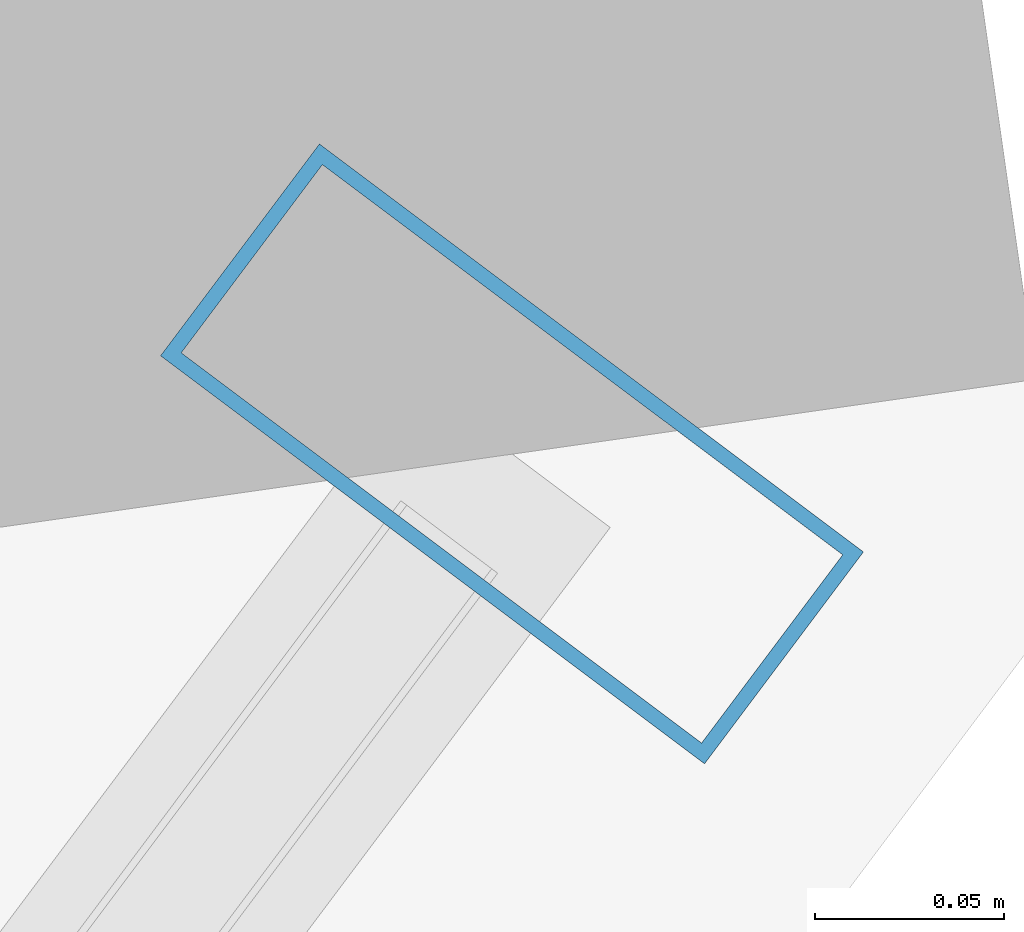
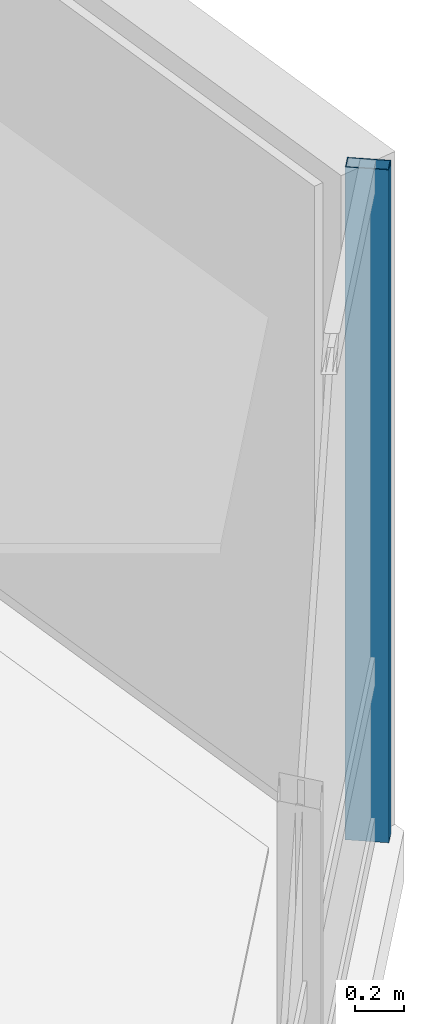
# One storey, part 16 of 27: 1 member, 1 element without a shape of its own.
"""IFC4 building model written with IfcOpenShell, lengths in metres."""

from ifc_helpers import new_model, si_unit, direction, frame, origin, origin_2d, place, context, subcontext, project, spatial, hollow_rectangle, extrude, material, layer, layer_set, material_profile, profile_set, type_object, element, aggregate, save


model = new_model("IFC4")

# Units and contexts
model_context = context("Model", 3, precision=1e-05, world=origin(), true_north=direction((0.0, 1.0)))
body_context = subcontext(model_context, "Body", "Model", "MODEL_VIEW")
ifc_project = project(units=[si_unit("LENGTHUNIT", "METRE"), si_unit("AREAUNIT", "SQUARE_METRE"), si_unit("VOLUMEUNIT", "CUBIC_METRE"), si_unit("PLANEANGLEUNIT", "RADIAN"), si_unit("MASSUNIT", "GRAM", prefix="KILO")], contexts=[model_context])

# Site, building, storey
site_placement = place(None, origin())
site = spatial("IfcSite", under=ifc_project, at=site_placement, CompositionType="ELEMENT")
building_placement = place(site_placement, origin())
building = spatial("IfcBuilding", under=site, at=building_placement, Name="Hatsunagi Terrace Concourse", CompositionType="ELEMENT")
storey_placement = place(building_placement, frame((0.0, 0.0, 174.449951171875)))
storey = spatial("IfcBuildingStorey", under=building, at=storey_placement, Name="L46", CompositionType="ELEMENT", Elevation=174.449951171875)

# Curtain wall, member
ifc_material_1 = material(Name="Anodised Aluminium Alloy 6063-T5", Category="aluminium")
ifc_layer = layer(ifc_material_1, 0.199951171875)
ifc_layer_set = layer_set([ifc_layer], Name="OfficeZone1_CW03")
curtain_wall_type = type_object("IfcCurtainWallType", Name="OfficeZone1_CW03", PredefinedType="NOTDEFINED", material=ifc_layer_set)
curtain_wall_placement = place(storey_placement, origin())
curtain_wall = element("IfcCurtainWall", 1, at=curtain_wall_placement, inside=storey, type_object=curtain_wall_type, Name="Unitised Curtain Wall CW-03 CW-L46-03", PredefinedType="NOTDEFINED")
ifc_material_2 = material(Name="Anodised Aluminium Alloy 6063-T5", Category="aluminium")
ifc_material_profile = material_profile(ifc_material_2, hollow_rectangle(XDim=0.070068359375, YDim=0.179931640625, WallThickness=0.00390625, at=origin_2d()), Name="ALU-MUL-180x70x4")
ifc_profile_set = profile_set([ifc_material_profile], Name="Anodised Aluminium Alloy 6063-T5")
member_type = type_object("IfcMemberType", Name="CurtainWallMullion_180x70", PredefinedType="MULLION", material=ifc_profile_set)
member_placement = place(storey_placement, frame((60.693115234375, 25.9580078125, 0.0), z_axis=(0.0, 0.0, 1.0), x_axis=(-0.599969314634, -0.800023013105, 0.0)))
member = element("IfcMember", 2, at=member_placement, type_object=member_type, Name="Curtain Wall Mullion MUL-02", PredefinedType="MULLION", context=body_context, shape_type="SweptSolid", body=[
    extrude(hollow_rectangle(XDim=0.070068359375, YDim=0.179931640625, WallThickness=0.00390625, at=origin_2d()), origin(), (0.0, 0.0, 1.0), 3.35009765625),
])
aggregate(curtain_wall, [member])

save(model, "model.ifc")
